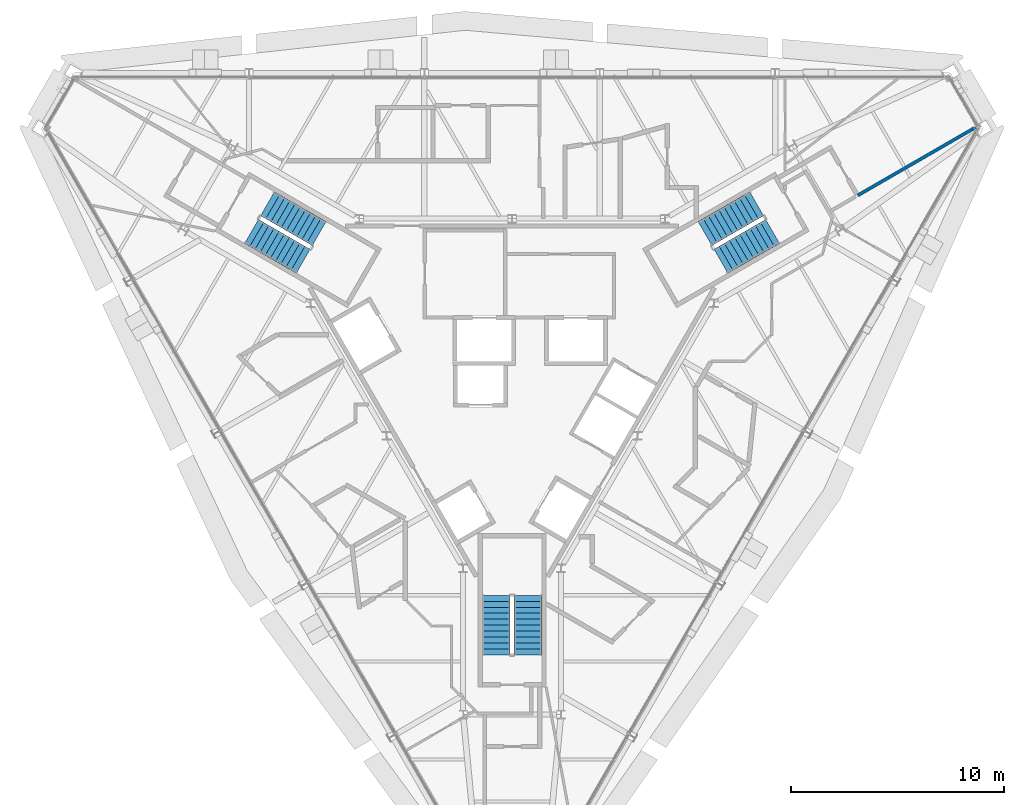
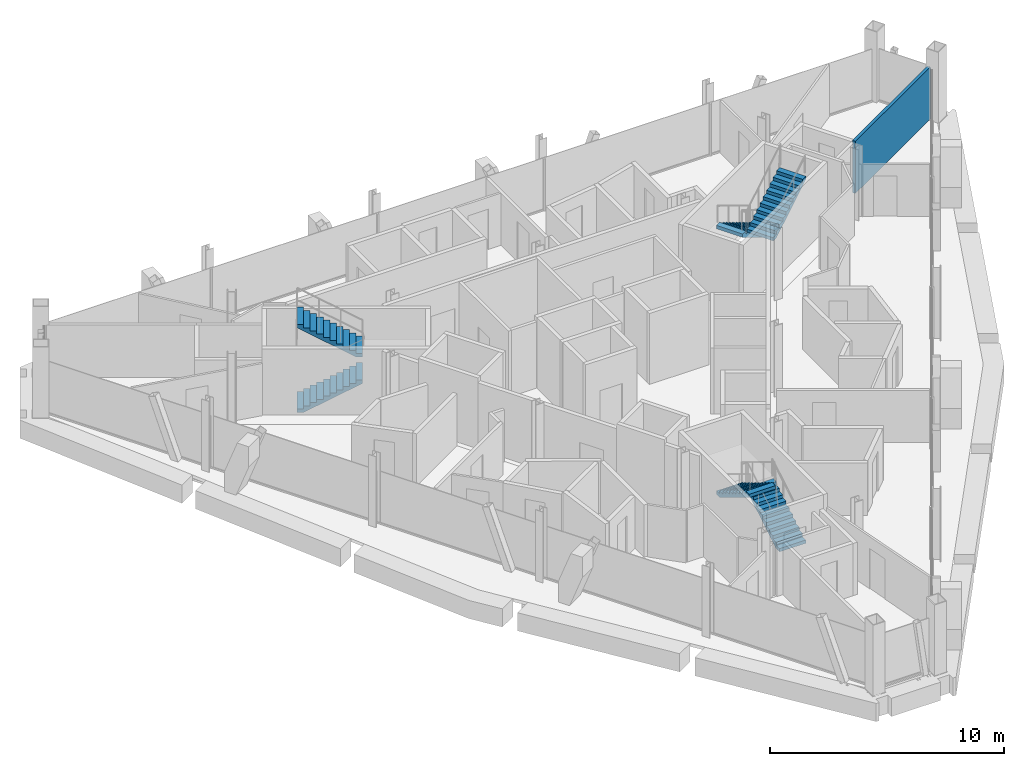
# One storey, part 11 of 13: 6 stair flights, 1 wall, 3 elements without a shape of their own.
"""IFC4 building model written with IfcOpenShell, lengths in metres."""

from ifc_helpers import new_model, si_unit, direction, frame, frame_2d, origin, place, context, subcontext, project, spatial, polyline, rectangle, outline, extrude, material, layer, layer_set, type_object, element, aggregate, save


model = new_model("IFC4")

# Units and contexts
model_context = context("Model", 3, precision=1e-05, world=origin(), true_north=direction((0.0, 1.0)))
body_context = subcontext(model_context, "Body", "Model", "MODEL_VIEW")
ifc_project = project(units=[si_unit("LENGTHUNIT", "METRE"), si_unit("AREAUNIT", "SQUARE_METRE"), si_unit("VOLUMEUNIT", "CUBIC_METRE"), si_unit("PLANEANGLEUNIT", "RADIAN"), si_unit("MASSUNIT", "GRAM", prefix="KILO")], contexts=[model_context])

# Site, building, storey
site_placement = place(None, origin())
site = spatial("IfcSite", under=ifc_project, at=site_placement, CompositionType="ELEMENT")
building_placement = place(site_placement, origin())
building = spatial("IfcBuilding", under=site, at=building_placement, Name="Verrane Prism Tower", CompositionType="ELEMENT")
storey_placement = place(building_placement, frame((0.0, 0.0, 289.89990234375)))
storey = spatial("IfcBuildingStorey", under=building, at=storey_placement, Name="L73", CompositionType="ELEMENT", Elevation=289.89990234375)

# Wall
ifc_material_1 = material(Name="Gypsum board partition", Category="other")
ifc_layer = layer(ifc_material_1, 0.14990234375)
ifc_layer_set = layer_set([ifc_layer], Name="PW-150 demising wall 1 h")
wall_type = type_object("IfcWallType", Name="PW-150 demising wall 1 h", PredefinedType="PARTITIONING", material=ifc_layer_set)
wall_placement = place(storey_placement, frame((16.236083984375, 7.888916015625, 0.0), z_axis=(0.0, 0.0, 1.0), x_axis=(0.865995456094, 0.500051867335, 0.0)))
element("IfcWall", 1, at=wall_placement, inside=storey, type_object=wall_type, Name="Demising wall 082", PredefinedType="PARTITIONING", context=body_context, shape_type="SweptSolid", body=[
    extrude(rectangle(XDim=6.415283203125, YDim=0.14990234375, at=frame_2d((3.20751953125, 0.0))), origin(), (0.0, 0.0, 1.0), 2.72314453125),
])

# Stair, stair flights
ifc_material_2 = material(Name="Concrete C40/50", Category="concrete")
stair_type = type_object("IfcStairType", Name="Exit stair 1300 dog-leg precast concrete C40/50", PredefinedType="HALF_TURN_STAIR", material=ifc_material_2)
stair_1_placement = place(storey_placement, origin())
stair_1 = element("IfcStair", 2, at=stair_1_placement, inside=storey, type_object=stair_type, Name="Stair 1 L73", PredefinedType="HALF_TURN_STAIR")
ifc_material_3 = material(Name="Concrete C40/50", Category="concrete")
stair_flight_type = type_object("IfcStairFlightType", Name="Stair flight 1300 precast concrete C40/50", PredefinedType="STRAIGHT", material=ifc_material_3)
stair_flight_1_placement = place(storey_placement, frame((11.489501953125, 7.49951171875, 0.0), z_axis=(0.0, 0.0, 1.0), x_axis=(-0.866025403784, -0.5, 0.0)))
stair_flight_1 = element("IfcStairFlight", 3, at=stair_flight_1_placement, type_object=stair_flight_type, Name="Stair 1 flight 1", NumberOfRisers=11, NumberOfTreads=10, PredefinedType="STRAIGHT", RiserHeight=0.168181818, TreadLength=0.28, context=body_context, shape_type="SweptSolid", body=[
    extrude(outline(polyline([(0.0, 0.0), (0.0, 0.168212890625), (0.280029296875, 0.168212890625), (0.280029296875, 0.33642578125), (0.56005859375, 0.33642578125), (0.56005859375, 0.504638671875), (0.840087890625, 0.504638671875), (0.840087890625, 0.672607421875), (1.1201171875, 0.672607421875), (1.1201171875, 0.8408203125), (1.39990234375, 0.8408203125), (1.39990234375, 1.009033203125), (1.679931640625, 1.009033203125), (1.679931640625, 1.17724609375), (1.9599609375, 1.17724609375), (1.9599609375, 1.345458984375), (2.239990234375, 1.345458984375), (2.239990234375, 1.513671875), (2.52001953125, 1.513671875), (2.52001953125, 1.681884765625), (2.800048828125, 1.681884765625), (2.800048828125, 1.85009765625), (2.800048828125, 1.5068359375), (0.291015625, 0.0), (0.0, 0.0)])), frame((0.0, 0.64990234375, 0.0), z_axis=(0.0, -1.0, 0.0), x_axis=(1.0, 0.0, 0.0)), (0.0, 0.0, 1.0), 1.300048828125),
])
stair_flight_2_placement = place(storey_placement, frame((9.814697265625, 4.800537109375, 1.85009765625), z_axis=(0.0, 0.0, 1.0), x_axis=(0.866025403784, 0.5, 0.0)))
stair_flight_2 = element("IfcStairFlight", 4, at=stair_flight_2_placement, type_object=stair_flight_type, Name="Stair 1 flight 2", NumberOfRisers=11, NumberOfTreads=10, PredefinedType="STRAIGHT", RiserHeight=0.168181818, TreadLength=0.28, context=body_context, shape_type="SweptSolid", body=[
    extrude(outline(polyline([(0.0, 0.0), (0.0, 0.168212890625), (0.280029296875, 0.168212890625), (0.280029296875, 0.33642578125), (0.56005859375, 0.33642578125), (0.56005859375, 0.504638671875), (0.840087890625, 0.504638671875), (0.840087890625, 0.672607421875), (1.1201171875, 0.672607421875), (1.1201171875, 0.8408203125), (1.39990234375, 0.8408203125), (1.39990234375, 1.009033203125), (1.679931640625, 1.009033203125), (1.679931640625, 1.17724609375), (1.9599609375, 1.17724609375), (1.9599609375, 1.345458984375), (2.239990234375, 1.345458984375), (2.239990234375, 1.513671875), (2.52001953125, 1.513671875), (2.52001953125, 1.681884765625), (2.800048828125, 1.681884765625), (2.800048828125, 1.85009765625), (2.800048828125, 1.5068359375), (0.291015625, 0.0), (0.0, 0.0)])), frame((0.0, 0.64990234375, 0.0), z_axis=(0.0, -1.0, 0.0), x_axis=(1.0, 0.0, 0.0)), (0.0, 0.0, 1.0), 1.300048828125),
])
aggregate(stair_1, [stair_flight_1, stair_flight_2])

stair_2_placement = place(storey_placement, origin())
stair_2 = element("IfcStair", 5, at=stair_2_placement, inside=storey, type_object=stair_type, Name="Stair 2 L73", PredefinedType="HALF_TURN_STAIR")
stair_flight_3_placement = place(storey_placement, frame((-12.239501953125, 6.200439453125, 0.0), z_axis=(0.0, 0.0, 1.0), x_axis=(0.866025403784, -0.5, 0.0)))
stair_flight_3 = element("IfcStairFlight", 6, at=stair_flight_3_placement, type_object=stair_flight_type, Name="Stair 2 flight 1", NumberOfRisers=11, NumberOfTreads=10, PredefinedType="STRAIGHT", RiserHeight=0.168181818, TreadLength=0.28, context=body_context, shape_type="SweptSolid", body=[
    extrude(outline(polyline([(0.0, 0.0), (0.0, 0.168212890625), (0.280029296875, 0.168212890625), (0.280029296875, 0.33642578125), (0.56005859375, 0.33642578125), (0.56005859375, 0.504638671875), (0.840087890625, 0.504638671875), (0.840087890625, 0.672607421875), (1.1201171875, 0.672607421875), (1.1201171875, 0.8408203125), (1.39990234375, 0.8408203125), (1.39990234375, 1.009033203125), (1.679931640625, 1.009033203125), (1.679931640625, 1.17724609375), (1.9599609375, 1.17724609375), (1.9599609375, 1.345458984375), (2.239990234375, 1.345458984375), (2.239990234375, 1.513671875), (2.52001953125, 1.513671875), (2.52001953125, 1.681884765625), (2.800048828125, 1.681884765625), (2.800048828125, 1.85009765625), (2.800048828125, 1.5068359375), (0.291015625, 0.0), (0.0, 0.0)])), frame((0.0, 0.64990234375, 0.0), z_axis=(0.0, -1.0, 0.0), x_axis=(1.0, 0.0, 0.0)), (0.0, 0.0, 1.0), 1.300048828125),
])
stair_flight_4_placement = place(storey_placement, frame((-9.064697265625, 6.099609375, 1.85009765625), z_axis=(0.0, 0.0, 1.0), x_axis=(-0.866025403784, 0.5, 0.0)))
stair_flight_4 = element("IfcStairFlight", 7, at=stair_flight_4_placement, type_object=stair_flight_type, Name="Stair 2 flight 2", NumberOfRisers=11, NumberOfTreads=10, PredefinedType="STRAIGHT", RiserHeight=0.168181818, TreadLength=0.28, context=body_context, shape_type="SweptSolid", body=[
    extrude(outline(polyline([(0.0, 0.0), (0.0, 0.168212890625), (0.280029296875, 0.168212890625), (0.280029296875, 0.33642578125), (0.56005859375, 0.33642578125), (0.56005859375, 0.504638671875), (0.840087890625, 0.504638671875), (0.840087890625, 0.672607421875), (1.1201171875, 0.672607421875), (1.1201171875, 0.8408203125), (1.39990234375, 0.8408203125), (1.39990234375, 1.009033203125), (1.679931640625, 1.009033203125), (1.679931640625, 1.17724609375), (1.9599609375, 1.17724609375), (1.9599609375, 1.345458984375), (2.239990234375, 1.345458984375), (2.239990234375, 1.513671875), (2.52001953125, 1.513671875), (2.52001953125, 1.681884765625), (2.800048828125, 1.681884765625), (2.800048828125, 1.85009765625), (2.800048828125, 1.5068359375), (0.291015625, 0.0), (0.0, 0.0)])), frame((0.0, 0.64990234375, 0.0), z_axis=(0.0, -1.0, 0.0), x_axis=(1.0, 0.0, 0.0)), (0.0, 0.0, 1.0), 1.300048828125),
])
aggregate(stair_2, [stair_flight_3, stair_flight_4])

stair_3_placement = place(storey_placement, origin())
stair_3 = element("IfcStair", 8, at=stair_3_placement, inside=storey, type_object=stair_type, Name="Stair 3 L73", PredefinedType="HALF_TURN_STAIR")
stair_flight_5_placement = place(storey_placement, frame((0.75, -13.699951171875, 0.0), z_axis=(0.0, 0.0, 1.0), x_axis=(0.0, 1.0, 0.0)))
stair_flight_5 = element("IfcStairFlight", 9, at=stair_flight_5_placement, type_object=stair_flight_type, Name="Stair 3 flight 1", NumberOfRisers=11, NumberOfTreads=10, PredefinedType="STRAIGHT", RiserHeight=0.168181818, TreadLength=0.28, context=body_context, shape_type="SweptSolid", body=[
    extrude(outline(polyline([(0.0, 0.0), (0.0, 0.168212890625), (0.280029296875, 0.168212890625), (0.280029296875, 0.33642578125), (0.56005859375, 0.33642578125), (0.56005859375, 0.504638671875), (0.840087890625, 0.504638671875), (0.840087890625, 0.672607421875), (1.1201171875, 0.672607421875), (1.1201171875, 0.8408203125), (1.39990234375, 0.8408203125), (1.39990234375, 1.009033203125), (1.679931640625, 1.009033203125), (1.679931640625, 1.17724609375), (1.9599609375, 1.17724609375), (1.9599609375, 1.345458984375), (2.239990234375, 1.345458984375), (2.239990234375, 1.513671875), (2.52001953125, 1.513671875), (2.52001953125, 1.681884765625), (2.800048828125, 1.681884765625), (2.800048828125, 1.85009765625), (2.800048828125, 1.5068359375), (0.291015625, 0.0), (0.0, 0.0)])), frame((0.0, 0.64990234375, 0.0), z_axis=(0.0, -1.0, 0.0), x_axis=(1.0, 0.0, 0.0)), (0.0, 0.0, 1.0), 1.300048828125),
])
stair_flight_6_placement = place(storey_placement, frame((-0.75, -10.89990234375, 1.85009765625), z_axis=(0.0, 0.0, 1.0), x_axis=(0.0, -1.0, 0.0)))
stair_flight_6 = element("IfcStairFlight", 10, at=stair_flight_6_placement, type_object=stair_flight_type, Name="Stair 3 flight 2", NumberOfRisers=11, NumberOfTreads=10, PredefinedType="STRAIGHT", RiserHeight=0.168181818, TreadLength=0.28, context=body_context, shape_type="SweptSolid", body=[
    extrude(outline(polyline([(0.0, 0.0), (0.0, 0.168212890625), (0.280029296875, 0.168212890625), (0.280029296875, 0.33642578125), (0.56005859375, 0.33642578125), (0.56005859375, 0.504638671875), (0.840087890625, 0.504638671875), (0.840087890625, 0.672607421875), (1.1201171875, 0.672607421875), (1.1201171875, 0.8408203125), (1.39990234375, 0.8408203125), (1.39990234375, 1.009033203125), (1.679931640625, 1.009033203125), (1.679931640625, 1.17724609375), (1.9599609375, 1.17724609375), (1.9599609375, 1.345458984375), (2.239990234375, 1.345458984375), (2.239990234375, 1.513671875), (2.52001953125, 1.513671875), (2.52001953125, 1.681884765625), (2.800048828125, 1.681884765625), (2.800048828125, 1.85009765625), (2.800048828125, 1.5068359375), (0.291015625, 0.0), (0.0, 0.0)])), frame((0.0, 0.64990234375, 0.0), z_axis=(0.0, -1.0, 0.0), x_axis=(1.0, 0.0, 0.0)), (0.0, 0.0, 1.0), 1.300048828125),
])
aggregate(stair_3, [stair_flight_5, stair_flight_6])

save(model, "model.ifc")
